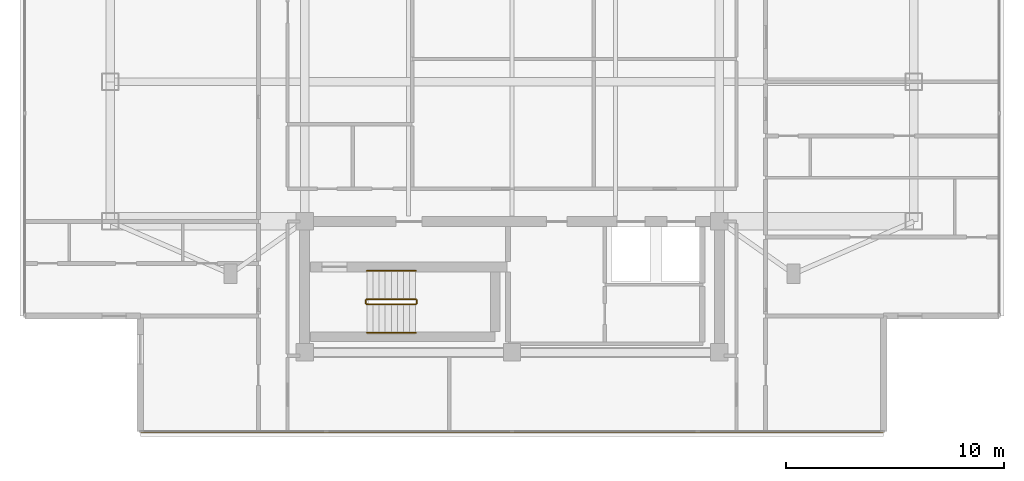
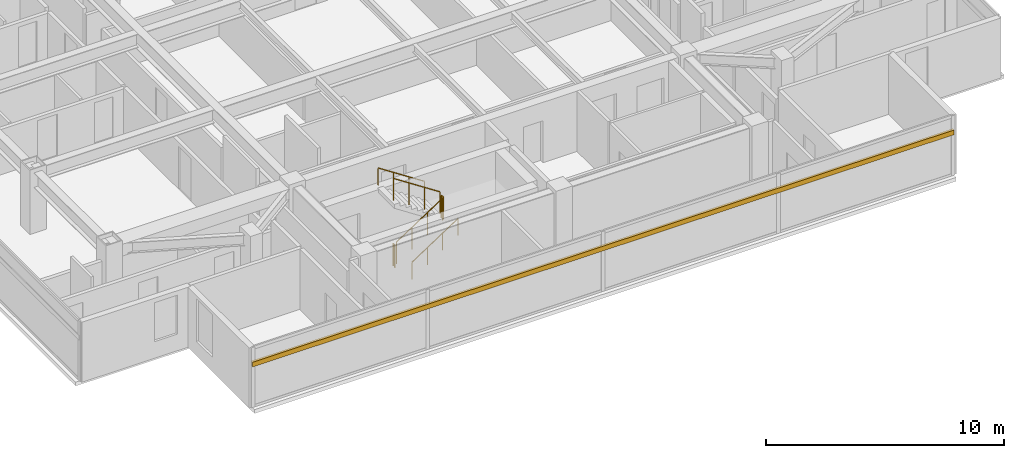
# One storey, part 12 of 14: 6 railings, 1 shading device.
"""IFC4 building model written with IfcOpenShell, lengths in metres."""

from ifc_helpers import new_model, si_unit, direction, frame, origin, origin_2d, place, context, subcontext, project, spatial, rectangle, circle, extrude, material, material_profile, profile_set, type_object, element, save


model = new_model("IFC4")

# Units and contexts
model_context = context("Model", 3, precision=1e-05, world=origin(), true_north=direction((0.0, 1.0)))
body_context = subcontext(model_context, "Body", "Model", "MODEL_VIEW")
ifc_project = project(units=[si_unit("LENGTHUNIT", "METRE"), si_unit("AREAUNIT", "SQUARE_METRE"), si_unit("VOLUMEUNIT", "CUBIC_METRE"), si_unit("PLANEANGLEUNIT", "RADIAN"), si_unit("MASSUNIT", "GRAM", prefix="KILO")], contexts=[model_context])

# Site, building, storey
site_placement = place(None, origin())
site = spatial("IfcSite", under=ifc_project, at=site_placement, CompositionType="ELEMENT")
building_placement = place(site_placement, origin())
building = spatial("IfcBuilding", under=site, at=building_placement, Name="Mirazonda Arch Towers", CompositionType="ELEMENT")
storey_placement = place(building_placement, frame((0.0, 0.0, 245.800048828125)))
storey = spatial("IfcBuildingStorey", under=building, at=storey_placement, Name="L70", CompositionType="ELEMENT", Elevation=245.800048828125)

# Shading device
ifc_material_1 = material(Name="Kiln-Fired Architectural Terracotta", Category="masonry")
ifc_material_profile = material_profile(ifc_material_1, rectangle(XDim=0.1201171875, YDim=0.239990234375, at=origin_2d()), Name="TERRA-BAG-120x240")
ifc_profile_set = profile_set([ifc_material_profile], Name="Kiln-Fired Architectural Terracotta")
shading_device_type = type_object("IfcShadingDeviceType", Name="BAGUETTE-1", PredefinedType="USERDEFINED", material=ifc_profile_set)
shading_device_placement = place(storey_placement, frame((37.530029296875, 8.77587890625, 2.217529296875), z_axis=(-1.0, 0.0, 0.0), x_axis=(0.0, -1.0, 0.0)))
element("IfcShadingDevice", 1, at=shading_device_placement, inside=storey, type_object=shading_device_type, Name="L70 Glazed Terracotta Sun-Screen Baguette CW-L70-T1-S", ObjectType="BAGUETTE", PredefinedType="USERDEFINED", context=body_context, shape_type="SweptSolid", body=[
    extrude(rectangle(XDim=0.1201171875, YDim=0.239990234375, at=origin_2d()), origin(), (0.0, 0.0, 1.0), 34.06005859375),
])

# Railings
ifc_material_2 = material(Name="Architectural Brushed Steel S355", Category="steel")
railing_type_1 = type_object("IfcRailingType", Name="GUARD-STAIR-1120", PredefinedType="GUARDRAIL", material=ifc_material_2)
railing_1_placement = place(storey_placement, frame((13.85009765625, 14.60009765625, 0.183349609375)))
element("IfcRailing", 2, at=railing_1_placement, inside=storey, type_object=railing_type_1, Name="L70 ST-T1S stair guard 1", PredefinedType="GUARDRAIL", context=body_context, shape_type="SweptSolid", body=[
    extrude(circle(Radius=0.02392578125, at=origin_2d()), frame((0.0, 0.0, 1.1259765625), z_axis=(0.836636935527, 0.0, 0.547757827979), x_axis=(0.0, 1.0, 0.0)), (0.0, 0.0, 1.0), 2.677490234375),
    extrude(circle(Radius=0.02099609375, at=origin_2d()), origin(), (0.0, 0.0, 1.0), 1.101806640625),
    extrude(circle(Radius=0.02099609375, at=origin_2d()), frame((0.74658203125, 0.0, 0.48876953125)), (0.0, 0.0, 1.0), 1.101806640625),
    extrude(circle(Radius=0.02099609375, at=origin_2d()), frame((1.493408203125, 0.0, 0.977783203125)), (0.0, 0.0, 1.0), 1.101806640625),
    extrude(circle(Radius=0.02099609375, at=origin_2d()), frame((2.239990234375, 0.0, 1.466552734375)), (0.0, 0.0, 1.0), 1.101806640625),
])
railing_2_placement = place(storey_placement, frame((16.139892578125, 14.64990234375, 1.64990234375)))
element("IfcRailing", 3, at=railing_2_placement, inside=storey, type_object=railing_type_1, Name="L70 ST-T1S stair guard 2", PredefinedType="GUARDRAIL", context=body_context, shape_type="SweptSolid", body=[
    extrude(circle(Radius=0.02392578125, at=origin_2d()), frame((0.0, 0.0, 1.1259765625), z_axis=(0.0, 1.0, 0.0), x_axis=(-1.0, 0.0, 0.0)), (0.0, 0.0, 1.0), 0.14013671875),
    extrude(circle(Radius=0.02099609375, at=origin_2d()), origin(), (0.0, 0.0, 1.0), 1.101806640625),
    extrude(circle(Radius=0.02099609375, at=origin_2d()), frame((0.0, 0.14013671875, 0.0)), (0.0, 0.0, 1.0), 1.101806640625),
])
railing_3_placement = place(storey_placement, frame((16.090087890625, 14.840087890625, 1.833251953125)))
element("IfcRailing", 4, at=railing_3_placement, inside=storey, type_object=railing_type_1, Name="L70 ST-T1S stair guard 3", PredefinedType="GUARDRAIL", context=body_context, shape_type="SweptSolid", body=[
    extrude(circle(Radius=0.02392578125, at=origin_2d()), frame((0.0, 0.0, 1.1259765625), z_axis=(-0.836595146698, 0.0, 0.547821650285), x_axis=(0.0, -1.0, 0.0)), (0.0, 0.0, 1.0), 2.677490234375),
    extrude(circle(Radius=0.02099609375, at=origin_2d()), origin(), (0.0, 0.0, 1.0), 1.101806640625),
    extrude(circle(Radius=0.02099609375, at=origin_2d()), frame((-0.74658203125, 0.0, 0.489013671875)), (0.0, 0.0, 1.0), 1.101806640625),
    extrude(circle(Radius=0.02099609375, at=origin_2d()), frame((-1.493408203125, 0.0, 0.977783203125)), (0.0, 0.0, 1.0), 1.101806640625),
    extrude(circle(Radius=0.02099609375, at=origin_2d()), frame((-2.239990234375, 0.0, 1.466796875)), (0.0, 0.0, 1.0), 1.101806640625),
])
railing_4_placement = place(storey_placement, frame((13.800048828125, 14.64990234375, 0.0)))
element("IfcRailing", 5, at=railing_4_placement, inside=storey, type_object=railing_type_1, Name="L70 ST-T1S stair guard 4", PredefinedType="GUARDRAIL", context=body_context, shape_type="SweptSolid", body=[
    extrude(circle(Radius=0.02392578125, at=origin_2d()), frame((0.0, 0.0, 1.1259765625), z_axis=(0.0, 1.0, 0.0), x_axis=(-1.0, 0.0, 0.0)), (0.0, 0.0, 1.0), 0.14013671875),
    extrude(circle(Radius=0.02099609375, at=origin_2d()), origin(), (0.0, 0.0, 1.0), 1.101806640625),
    extrude(circle(Radius=0.02099609375, at=origin_2d()), frame((0.0, 0.14013671875, 0.0)), (0.0, 0.0, 1.0), 1.101806640625),
])
railing_type_2 = type_object("IfcRailingType", Name="HANDRAIL-915", PredefinedType="HANDRAIL", material=ifc_material_2)
railing_5_placement = place(storey_placement, frame((13.85009765625, 13.300048828125, 0.183349609375)))
element("IfcRailing", 6, at=railing_5_placement, inside=storey, type_object=railing_type_2, Name="L70 ST-T1S stair handrail 1", PredefinedType="HANDRAIL", context=body_context, shape_type="SweptSolid", body=[
    extrude(circle(Radius=0.02392578125, at=origin_2d()), frame((0.0, 0.0, 0.8759765625), z_axis=(0.836636935527, 0.0, 0.547757827979), x_axis=(0.0, 1.0, 0.0)), (0.0, 0.0, 1.0), 2.677490234375),
    extrude(circle(Radius=0.02099609375, at=origin_2d()), origin(), (0.0, 0.0, 1.0), 0.851806640625),
    extrude(circle(Radius=0.02099609375, at=origin_2d()), frame((0.74658203125, 0.0, 0.48876953125)), (0.0, 0.0, 1.0), 0.851806640625),
    extrude(circle(Radius=0.02099609375, at=origin_2d()), frame((1.493408203125, 0.0, 0.977783203125)), (0.0, 0.0, 1.0), 0.851806640625),
    extrude(circle(Radius=0.02099609375, at=origin_2d()), frame((2.239990234375, 0.0, 1.466552734375)), (0.0, 0.0, 1.0), 0.851806640625),
])
railing_6_placement = place(storey_placement, frame((16.090087890625, 16.139892578125, 1.833251953125)))
element("IfcRailing", 7, at=railing_6_placement, inside=storey, type_object=railing_type_2, Name="L70 ST-T1S stair handrail 2", PredefinedType="HANDRAIL", context=body_context, shape_type="SweptSolid", body=[
    extrude(circle(Radius=0.02392578125, at=origin_2d()), frame((0.0, 0.0, 0.8759765625), z_axis=(-0.836595146698, 0.0, 0.547821650285), x_axis=(0.0, -1.0, 0.0)), (0.0, 0.0, 1.0), 2.677490234375),
    extrude(circle(Radius=0.02099609375, at=origin_2d()), origin(), (0.0, 0.0, 1.0), 0.851806640625),
    extrude(circle(Radius=0.02099609375, at=origin_2d()), frame((-0.74658203125, 0.0, 0.489013671875)), (0.0, 0.0, 1.0), 0.851806640625),
    extrude(circle(Radius=0.02099609375, at=origin_2d()), frame((-1.493408203125, 0.0, 0.977783203125)), (0.0, 0.0, 1.0), 0.851806640625),
    extrude(circle(Radius=0.02099609375, at=origin_2d()), frame((-2.239990234375, 0.0, 1.466796875)), (0.0, 0.0, 1.0), 0.851806640625),
])

save(model, "model.ifc")
